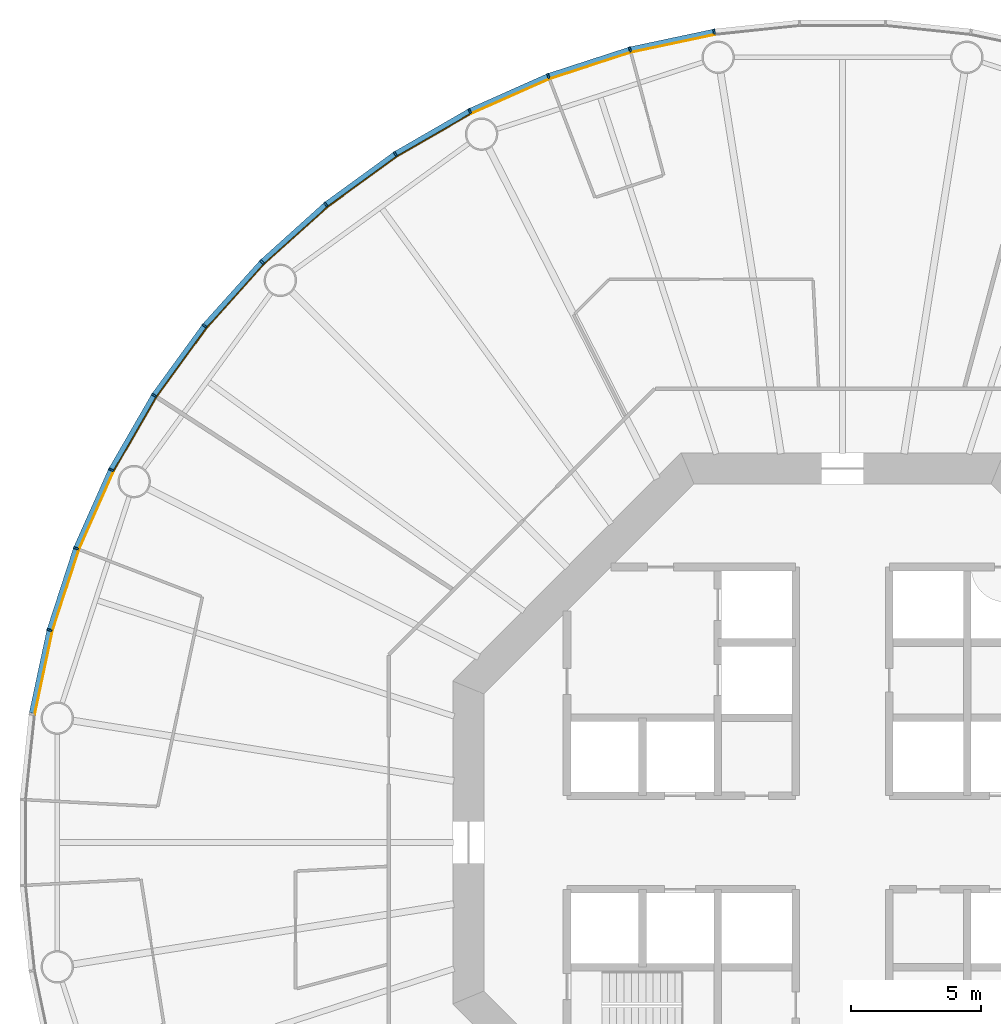
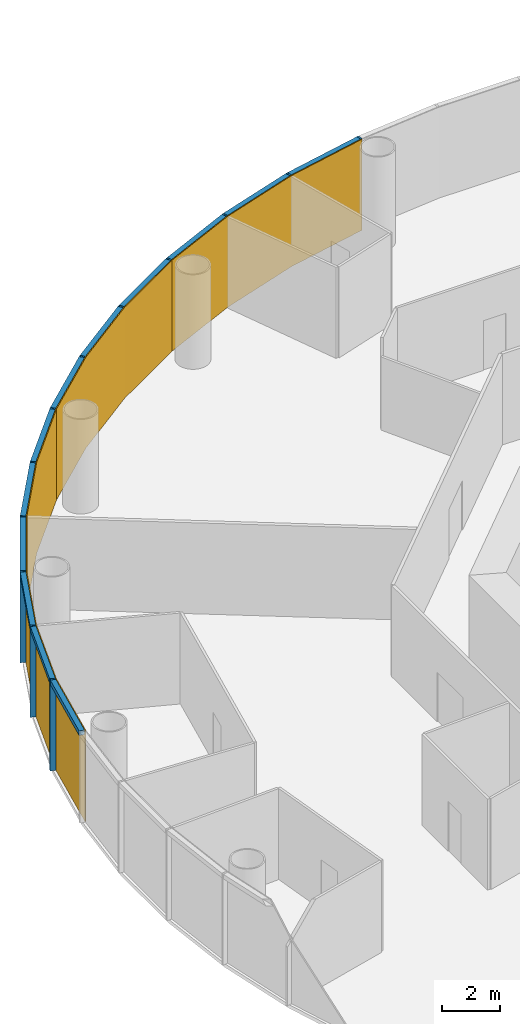
# One storey, part 10 of 13: 24 members, 4 curtain walls.
"""IFC4 building model written with IfcOpenShell, lengths in metres."""

from ifc_helpers import new_model, si_unit, direction, frame, origin, origin_2d, place, context, subcontext, project, spatial, polyline, rectangle, outline, extrude, material, layer, layer_set, material_profile, profile_set, type_object, element, aggregate, save


model = new_model("IFC4")

# Units and contexts
model_context = context("Model", 3, precision=1e-05, world=origin(), true_north=direction((0.0, 1.0)))
body_context = subcontext(model_context, "Body", "Model", "MODEL_VIEW")
ifc_project = project(units=[si_unit("LENGTHUNIT", "METRE"), si_unit("AREAUNIT", "SQUARE_METRE"), si_unit("VOLUMEUNIT", "CUBIC_METRE"), si_unit("PLANEANGLEUNIT", "RADIAN"), si_unit("MASSUNIT", "GRAM", prefix="KILO")], contexts=[model_context])

# Member
ifc_material_1 = material(Name="Anodised aluminium", Category="aluminium")
ifc_material_profile_1 = material_profile(ifc_material_1, rectangle(XDim=0.070068359375, YDim=0.199951171875, at=origin_2d()), Name="Mullion 70 x 200 mm anodised aluminium")
ifc_profile_set_1 = profile_set([ifc_material_profile_1], Name="Anodised aluminium")
member_type_1 = type_object("IfcMemberType", Name="Mullion 70 x 200 mm anodised aluminium", PredefinedType="MULLION", material=ifc_profile_set_1)
site_placement = place(None, origin())
building_placement = place(site_placement, origin())
storey_placement = place(building_placement, frame((0.0, 0.0, 100.0)))
member_1_placement = place(storey_placement, frame((85.056640625, 111.2109375, 0.0), z_axis=(0.0, 0.0, 1.0), x_axis=(-0.987688340595, -0.15643446504, 0.0)))
member_1 = element("IfcMember", 1, at=member_1_placement, type_object=member_type_1, Name="MULLION L22-15", PredefinedType="MULLION", context=body_context, shape_type="SweptSolid", body=[
    extrude(rectangle(XDim=0.070068359375, YDim=0.199951171875, at=origin_2d()), origin(), (0.0, 0.0, 1.0), 3.85009765625),
])

member_2_placement = place(storey_placement, frame((81.8212890625, 110.523193359375, 0.0), z_axis=(0.0, 0.0, 1.0), x_axis=(-0.965925826289, -0.258819045103, 0.0)))
member_2 = element("IfcMember", 2, at=member_2_placement, type_object=member_type_1, Name="MULLION L22-16", PredefinedType="MULLION", context=body_context, shape_type="SweptSolid", body=[
    extrude(rectangle(XDim=0.070068359375, YDim=0.199951171875, at=origin_2d()), origin(), (0.0, 0.0, 1.0), 3.85009765625),
])

member_3_placement = place(storey_placement, frame((78.675537109375, 109.501220703125, 0.0), z_axis=(0.0, 0.0, 1.0), x_axis=(-0.933580426497, -0.358367949545, 0.0)))
member_3 = element("IfcMember", 3, at=member_3_placement, type_object=member_type_1, Name="MULLION L22-17", PredefinedType="MULLION", context=body_context, shape_type="SweptSolid", body=[
    extrude(rectangle(XDim=0.070068359375, YDim=0.199951171875, at=origin_2d()), origin(), (0.0, 0.0, 1.0), 3.85009765625),
])

member_4_placement = place(storey_placement, frame((75.65380859375, 108.15576171875, 0.0), z_axis=(0.0, 0.0, 1.0), x_axis=(-0.891006524188, -0.45399049974, 0.0)))
member_4 = element("IfcMember", 4, at=member_4_placement, type_object=member_type_1, Name="MULLION L22-18", PredefinedType="MULLION", context=body_context, shape_type="SweptSolid", body=[
    extrude(rectangle(XDim=0.070068359375, YDim=0.199951171875, at=origin_2d()), origin(), (0.0, 0.0, 1.0), 3.85009765625),
])

member_5_placement = place(storey_placement, frame((72.789306640625, 106.501953125, 0.0), z_axis=(0.0, 0.0, 1.0), x_axis=(-0.838670567945, -0.544639035015, 0.0)))
member_5 = element("IfcMember", 5, at=member_5_placement, type_object=member_type_1, Name="MULLION L22-19", PredefinedType="MULLION", context=body_context, shape_type="SweptSolid", body=[
    extrude(rectangle(XDim=0.070068359375, YDim=0.199951171875, at=origin_2d()), origin(), (0.0, 0.0, 1.0), 3.85009765625),
])

member_6_placement = place(storey_placement, frame((70.113525390625, 104.557861328125, 0.0), z_axis=(0.0, 0.0, 1.0), x_axis=(-0.777145961457, -0.62932039105, 0.0)))
member_6 = element("IfcMember", 6, at=member_6_placement, type_object=member_type_1, Name="MULLION L22-20", PredefinedType="MULLION", context=body_context, shape_type="SweptSolid", body=[
    extrude(rectangle(XDim=0.070068359375, YDim=0.199951171875, at=origin_2d()), origin(), (0.0, 0.0, 1.0), 3.85009765625),
])

member_7_placement = place(storey_placement, frame((67.655517578125, 102.344482421875, 0.0), z_axis=(0.0, 0.0, 1.0), x_axis=(-0.707106781187, -0.707106781187, 0.0)))
member_7 = element("IfcMember", 7, at=member_7_placement, type_object=member_type_1, Name="MULLION L22-21", PredefinedType="MULLION", context=body_context, shape_type="SweptSolid", body=[
    extrude(rectangle(XDim=0.070068359375, YDim=0.199951171875, at=origin_2d()), origin(), (0.0, 0.0, 1.0), 3.85009765625),
])

member_8_placement = place(storey_placement, frame((65.442138671875, 99.886474609375, 0.0), z_axis=(0.0, 0.0, 1.0), x_axis=(-0.62932039105, -0.777145961457, 0.0)))
member_8 = element("IfcMember", 8, at=member_8_placement, type_object=member_type_1, Name="MULLION L22-22", PredefinedType="MULLION", context=body_context, shape_type="SweptSolid", body=[
    extrude(rectangle(XDim=0.070068359375, YDim=0.199951171875, at=origin_2d()), origin(), (0.0, 0.0, 1.0), 3.85009765625),
])

member_9_placement = place(storey_placement, frame((63.498046875, 97.210693359375, 0.0), z_axis=(0.0, 0.0, 1.0), x_axis=(-0.544639035015, -0.838670567945, 0.0)))
member_9 = element("IfcMember", 9, at=member_9_placement, type_object=member_type_1, Name="MULLION L22-23", PredefinedType="MULLION", context=body_context, shape_type="SweptSolid", body=[
    extrude(rectangle(XDim=0.070068359375, YDim=0.199951171875, at=origin_2d()), origin(), (0.0, 0.0, 1.0), 3.85009765625),
])

member_10_placement = place(storey_placement, frame((61.84423828125, 94.34619140625, 0.0), z_axis=(0.0, 0.0, 1.0), x_axis=(-0.45399049974, -0.891006524188, 0.0)))
member_10 = element("IfcMember", 10, at=member_10_placement, type_object=member_type_1, Name="MULLION L22-24", PredefinedType="MULLION", context=body_context, shape_type="SweptSolid", body=[
    extrude(rectangle(XDim=0.070068359375, YDim=0.199951171875, at=origin_2d()), origin(), (0.0, 0.0, 1.0), 3.85009765625),
])

member_11_placement = place(storey_placement, frame((60.498779296875, 91.324462890625, 0.0), z_axis=(0.0, 0.0, 1.0), x_axis=(-0.358367949545, -0.933580426497, 0.0)))
member_11 = element("IfcMember", 11, at=member_11_placement, type_object=member_type_1, Name="MULLION L22-25", PredefinedType="MULLION", context=body_context, shape_type="SweptSolid", body=[
    extrude(rectangle(XDim=0.070068359375, YDim=0.199951171875, at=origin_2d()), origin(), (0.0, 0.0, 1.0), 3.85009765625),
])

member_12_placement = place(storey_placement, frame((59.476806640625, 88.1787109375, 0.0), z_axis=(0.0, 0.0, 1.0), x_axis=(-0.258819045103, -0.965925826289, 0.0)))
member_12 = element("IfcMember", 12, at=member_12_placement, type_object=member_type_1, Name="MULLION L22-26", PredefinedType="MULLION", context=body_context, shape_type="SweptSolid", body=[
    extrude(rectangle(XDim=0.070068359375, YDim=0.199951171875, at=origin_2d()), origin(), (0.0, 0.0, 1.0), 3.85009765625),
])

ifc_material_2 = material(Name="Anodised aluminium", Category="aluminium")
ifc_material_profile_2 = material_profile(ifc_material_2, rectangle(XDim=0.199951171875, YDim=0.18994140625, at=origin_2d()), Name="Transom 190 x 200 mm anodised aluminium")
ifc_profile_set_2 = profile_set([ifc_material_profile_2], Name="Anodised aluminium")
member_type_2 = type_object("IfcMemberType", Name="Transom 190 x 200 mm anodised aluminium", PredefinedType="USERDEFINED", material=ifc_profile_set_2)
member_13_placement = place(storey_placement, frame((85.017333984375, 111.20263671875, 3.7548828125), z_axis=(-0.978153082647, -0.207885898771, 0.0), x_axis=(0.207885898771, -0.978153082647, 0.0)))
member_13 = element("IfcMember", 13, at=member_13_placement, type_object=member_type_2, Name="TRANSOM L22-15", ObjectType="TRANSOM", PredefinedType="USERDEFINED", context=body_context, shape_type="SweptSolid", body=[
    extrude(rectangle(XDim=0.199951171875, YDim=0.18994140625, at=origin_2d()), origin(), (0.0, 0.0, 1.0), 3.227294921875),
])

member_14_placement = place(storey_placement, frame((81.782958984375, 110.510986328125, 3.7548828125), z_axis=(-0.951046855117, -0.309046726844, 0.0), x_axis=(0.309046726844, -0.951046855117, 0.0)))
member_14 = element("IfcMember", 14, at=member_14_placement, type_object=member_type_2, Name="TRANSOM L22-16", ObjectType="TRANSOM", PredefinedType="USERDEFINED", context=body_context, shape_type="SweptSolid", body=[
    extrude(rectangle(XDim=0.199951171875, YDim=0.18994140625, at=origin_2d()), origin(), (0.0, 0.0, 1.0), 3.22705078125),
])

member_15_placement = place(storey_placement, frame((78.638671875, 109.48486328125, 3.7548828125), z_axis=(-0.913549291349, -0.406728032322, 0.0), x_axis=(0.406728032322, -0.913549291349, 0.0)))
member_15 = element("IfcMember", 15, at=member_15_placement, type_object=member_type_2, Name="TRANSOM L22-17", ObjectType="TRANSOM", PredefinedType="USERDEFINED", context=body_context, shape_type="SweptSolid", body=[
    extrude(rectangle(XDim=0.199951171875, YDim=0.18994140625, at=origin_2d()), origin(), (0.0, 0.0, 1.0), 3.22705078125),
])

member_16_placement = place(storey_placement, frame((75.618896484375, 108.1357421875, 3.7548828125), z_axis=(-0.866023062494, -0.500004055213, 0.0), x_axis=(0.500004055213, -0.866023062494, 0.0)))
member_16 = element("IfcMember", 16, at=member_16_placement, type_object=member_type_2, Name="TRANSOM L22-18", ObjectType="TRANSOM", PredefinedType="USERDEFINED", context=body_context, shape_type="SweptSolid", body=[
    extrude(rectangle(XDim=0.199951171875, YDim=0.18994140625, at=origin_2d()), origin(), (0.0, 0.0, 1.0), 3.22705078125),
])

member_17_placement = place(storey_placement, frame((72.7568359375, 106.478515625, 3.7548828125), z_axis=(-0.809004252048, -0.587802790201, 0.0), x_axis=(0.587802790201, -0.809004252048, 0.0)))
member_17 = element("IfcMember", 17, at=member_17_placement, type_object=member_type_2, Name="TRANSOM L22-19", ObjectType="TRANSOM", PredefinedType="USERDEFINED", context=body_context, shape_type="SweptSolid", body=[
    extrude(rectangle(XDim=0.199951171875, YDim=0.18994140625, at=origin_2d()), origin(), (0.0, 0.0, 1.0), 3.227294921875),
])

member_18_placement = place(storey_placement, frame((70.08349609375, 104.531005859375, 3.7548828125), z_axis=(-0.743132370743, -0.669144438484, 0.0), x_axis=(0.669144438484, -0.743132370743, 0.0)))
member_18 = element("IfcMember", 18, at=member_18_placement, type_object=member_type_2, Name="TRANSOM L22-20", ObjectType="TRANSOM", PredefinedType="USERDEFINED", context=body_context, shape_type="SweptSolid", body=[
    extrude(rectangle(XDim=0.199951171875, YDim=0.18994140625, at=origin_2d()), origin(), (0.0, 0.0, 1.0), 3.22705078125),
])

member_19_placement = place(storey_placement, frame((67.62841796875, 102.314697265625, 3.7548828125), z_axis=(-0.669144438484, -0.743132370743, 0.0), x_axis=(0.743132370743, -0.669144438484, 0.0)))
member_19 = element("IfcMember", 19, at=member_19_placement, type_object=member_type_2, Name="TRANSOM L22-21", ObjectType="TRANSOM", PredefinedType="USERDEFINED", context=body_context, shape_type="SweptSolid", body=[
    extrude(rectangle(XDim=0.199951171875, YDim=0.18994140625, at=origin_2d()), origin(), (0.0, 0.0, 1.0), 3.22705078125),
])

member_20_placement = place(storey_placement, frame((65.41845703125, 99.85400390625, 3.7548828125), z_axis=(-0.587802790201, -0.809004252048, 0.0), x_axis=(0.809004252048, -0.587802790201, 0.0)))
member_20 = element("IfcMember", 20, at=member_20_placement, type_object=member_type_2, Name="TRANSOM L22-22", ObjectType="TRANSOM", PredefinedType="USERDEFINED", context=body_context, shape_type="SweptSolid", body=[
    extrude(rectangle(XDim=0.199951171875, YDim=0.18994140625, at=origin_2d()), origin(), (0.0, 0.0, 1.0), 3.227294921875),
])

member_21_placement = place(storey_placement, frame((63.477783203125, 97.17578125, 3.7548828125), z_axis=(-0.500004055213, -0.866023062494, 0.0), x_axis=(0.866023062494, -0.500004055213, 0.0)))
member_21 = element("IfcMember", 21, at=member_21_placement, type_object=member_type_2, Name="TRANSOM L22-23", ObjectType="TRANSOM", PredefinedType="USERDEFINED", context=body_context, shape_type="SweptSolid", body=[
    extrude(rectangle(XDim=0.199951171875, YDim=0.18994140625, at=origin_2d()), origin(), (0.0, 0.0, 1.0), 3.22705078125),
])

member_22_placement = place(storey_placement, frame((61.82763671875, 94.309326171875, 3.7548828125), z_axis=(-0.406728032322, -0.913549291349, 0.0), x_axis=(0.913549291349, -0.406728032322, 0.0)))
member_22 = element("IfcMember", 22, at=member_22_placement, type_object=member_type_2, Name="TRANSOM L22-24", ObjectType="TRANSOM", PredefinedType="USERDEFINED", context=body_context, shape_type="SweptSolid", body=[
    extrude(rectangle(XDim=0.199951171875, YDim=0.18994140625, at=origin_2d()), origin(), (0.0, 0.0, 1.0), 3.22705078125),
])

member_23_placement = place(storey_placement, frame((60.486328125, 91.2861328125, 3.7548828125), z_axis=(-0.309046726844, -0.951046855117, 0.0), x_axis=(0.951046855117, -0.309046726844, 0.0)))
member_23 = element("IfcMember", 23, at=member_23_placement, type_object=member_type_2, Name="TRANSOM L22-25", ObjectType="TRANSOM", PredefinedType="USERDEFINED", context=body_context, shape_type="SweptSolid", body=[
    extrude(rectangle(XDim=0.199951171875, YDim=0.18994140625, at=origin_2d()), origin(), (0.0, 0.0, 1.0), 3.22705078125),
])

member_24_placement = place(storey_placement, frame((59.46826171875, 88.139404296875, 3.7548828125), z_axis=(-0.207885898771, -0.978153082647, 0.0), x_axis=(0.978153082647, -0.207885898771, 0.0)))
member_24 = element("IfcMember", 24, at=member_24_placement, type_object=member_type_2, Name="TRANSOM L22-26", ObjectType="TRANSOM", PredefinedType="USERDEFINED", context=body_context, shape_type="SweptSolid", body=[
    extrude(rectangle(XDim=0.199951171875, YDim=0.18994140625, at=origin_2d()), origin(), (0.0, 0.0, 1.0), 3.227294921875),
])

# Site, building, storey
site = spatial("IfcSite", under=ifc_project, at=site_placement, CompositionType="ELEMENT")
building = spatial("IfcBuilding", under=site, at=building_placement, Name="Entoto Ring Tower", CompositionType="ELEMENT")
storey = spatial("IfcBuildingStorey", under=building, at=storey_placement, Name="L22", CompositionType="ELEMENT", Elevation=100.0)

# Curtain wall
ifc_material_3 = material(Name="Clear low-iron glass", Category="glass")
ifc_layer = layer(ifc_material_3, 0.035888671875)
ifc_layer_set = layer_set([ifc_layer], Name="Clear low-iron glass")
curtain_wall_type = type_object("IfcCurtainWallType", Name="Curtain wall system CW2 glazing 36 mm", PredefinedType="NOTDEFINED", material=ifc_layer_set)
curtain_wall_1_placement = place(storey_placement, origin())
curtain_wall_1 = element("IfcCurtainWall", 25, at=curtain_wall_1_placement, inside=storey, type_object=curtain_wall_type, Name="CW2 L22-06", PredefinedType="NOTDEFINED", context=body_context, shape_type="SweptSolid", body=[
    extrude(outline(polyline([(85.072265625, 111.1123046875), (81.84716796875, 110.4267578125), (78.71142578125, 109.40771484375), (75.69921875, 108.066650390625), (75.715576171875, 108.03466796875), (78.724365234375, 109.3740234375), (81.8564453125, 110.391845703125), (85.077880859375, 111.07666015625), (85.072265625, 111.1123046875)])), origin(), (0.0, 0.0, 1.0), 3.85009765625),
])

aggregate(curtain_wall_1, [member_1, member_2, member_3, member_13, member_14, member_15])

curtain_wall_2_placement = place(storey_placement, origin())
curtain_wall_2 = element("IfcCurtainWall", 26, at=curtain_wall_2_placement, inside=storey, type_object=curtain_wall_type, Name="CW2 L22-07", PredefinedType="NOTDEFINED", context=body_context, shape_type="SweptSolid", body=[
    extrude(outline(polyline([(75.69921875, 108.066650390625), (72.84375, 106.418212890625), (70.176513671875, 104.47998046875), (67.72607421875, 102.27392578125), (67.751708984375, 102.248291015625), (70.198974609375, 104.4521484375), (72.863525390625, 106.387939453125), (75.715576171875, 108.03466796875), (75.69921875, 108.066650390625)])), origin(), (0.0, 0.0, 1.0), 3.85009765625),
])

aggregate(curtain_wall_2, [member_4, member_5, member_6, member_16, member_17, member_18])

curtain_wall_3_placement = place(storey_placement, origin())
curtain_wall_3 = element("IfcCurtainWall", 27, at=curtain_wall_3_placement, inside=storey, type_object=curtain_wall_type, Name="CW2 L22-08", PredefinedType="NOTDEFINED", context=body_context, shape_type="SweptSolid", body=[
    extrude(outline(polyline([(67.72607421875, 102.27392578125), (65.52001953125, 99.823486328125), (63.581787109375, 97.15625), (61.933349609375, 94.30078125), (61.96533203125, 94.284423828125), (63.612060546875, 97.136474609375), (65.5478515625, 99.801025390625), (67.751708984375, 102.248291015625), (67.72607421875, 102.27392578125)])), origin(), (0.0, 0.0, 1.0), 3.85009765625),
])

aggregate(curtain_wall_3, [member_7, member_8, member_9, member_19, member_20, member_21])

curtain_wall_4_placement = place(storey_placement, origin())
curtain_wall_4 = element("IfcCurtainWall", 28, at=curtain_wall_4_placement, inside=storey, type_object=curtain_wall_type, Name="CW2 L22-09", PredefinedType="NOTDEFINED", context=body_context, shape_type="SweptSolid", body=[
    extrude(outline(polyline([(61.933349609375, 94.30078125), (60.59228515625, 91.28857421875), (59.5732421875, 88.15283203125), (58.8876953125, 84.927734375), (58.92333984375, 84.922119140625), (59.608154296875, 88.1435546875), (60.6259765625, 91.275634765625), (61.96533203125, 94.284423828125), (61.933349609375, 94.30078125)])), origin(), (0.0, 0.0, 1.0), 3.85009765625),
])

aggregate(curtain_wall_4, [member_10, member_11, member_12, member_22, member_23, member_24])

save(model, "model.ifc")
